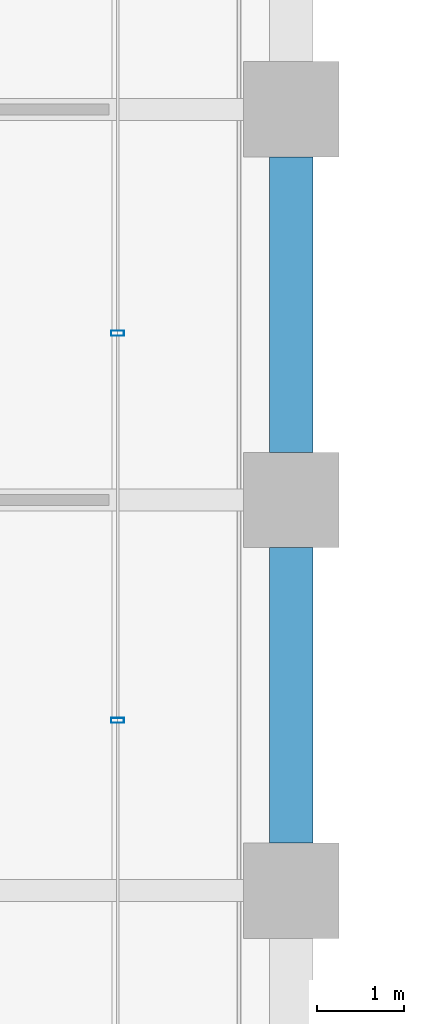
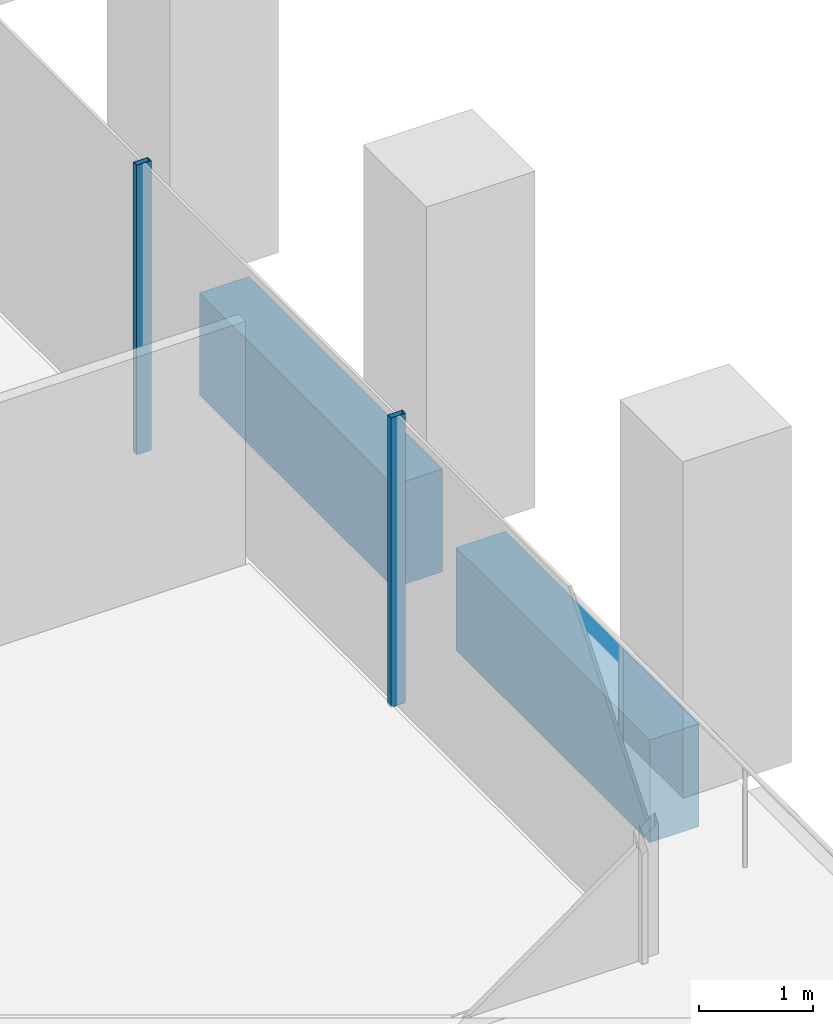
# One storey, part 18 of 56: 2 beams, 2 members, 1 element without a shape of its own.
"""IFC4 building model written with IfcOpenShell, lengths in metres."""

from ifc_helpers import new_model, si_unit, direction, frame, origin, origin_2d, place, context, subcontext, project, spatial, rectangle, hollow_rectangle, extrude, material, material_profile, profile_set, type_object, element, aggregate, save


model = new_model("IFC4")

# Units and contexts
model_context = context("Model", 3, precision=1e-05, world=origin(), true_north=direction((0.0, 1.0)))
body_context = subcontext(model_context, "Body", "Model", "MODEL_VIEW")
ifc_project = project(units=[si_unit("LENGTHUNIT", "METRE"), si_unit("AREAUNIT", "SQUARE_METRE"), si_unit("VOLUMEUNIT", "CUBIC_METRE"), si_unit("PLANEANGLEUNIT", "RADIAN"), si_unit("MASSUNIT", "GRAM", prefix="KILO")], contexts=[model_context])

# Site, building, storey
site_placement = place(None, origin())
site = spatial("IfcSite", under=ifc_project, at=site_placement, CompositionType="ELEMENT")
building_placement = place(site_placement, origin())
building = spatial("IfcBuilding", under=site, at=building_placement, Name="Altepetl Exchange Towers", CompositionType="ELEMENT")
storey_placement = place(building_placement, frame((0.0, 0.0, 83.39990234375)))
storey = spatial("IfcBuildingStorey", under=building, at=storey_placement, Name="L20", CompositionType="ELEMENT", Elevation=83.39990234375)

# Curtain wall, members
ifc_material_1 = material(Name="Aluminium 6063-T6 glazing", Category="aluminium")
curtain_wall_type = type_object("IfcCurtainWallType", Name="Loggia glazing system", PredefinedType="NOTDEFINED", material=ifc_material_1)
curtain_wall_placement = place(storey_placement, origin())
curtain_wall = element("IfcCurtainWall", 1, at=curtain_wall_placement, inside=storey, type_object=curtain_wall_type, Name="CW1 run", PredefinedType="NOTDEFINED")
ifc_material_2 = material(Name="Aluminium 6063-T6", Category="aluminium")
ifc_material_profile_1 = material_profile(ifc_material_2, hollow_rectangle(XDim=0.06005859375, YDim=0.14990234375, WallThickness=0.0029296875, at=origin_2d()), Name="Mullion 60x150 aluminium")
ifc_profile_set_1 = profile_set([ifc_material_profile_1], Name="Aluminium 6063-T6")
member_type = type_object("IfcMemberType", Name="Mullion 60x150 aluminium", PredefinedType="MULLION", material=ifc_profile_set_1)
member_1_placement = place(storey_placement, frame((70.0, 37.9609375, 0.0), z_axis=(0.0, 0.0, 1.0), x_axis=(0.0, 1.0, 0.0)))
member_1 = element("IfcMember", 2, at=member_1_placement, type_object=member_type, Name="MU1 mullion", PredefinedType="MULLION", context=body_context, shape_type="SweptSolid", body=[
    extrude(hollow_rectangle(XDim=0.06005859375, YDim=0.14990234375, WallThickness=0.0029296875, at=origin_2d()), origin(), (0.0, 0.0, 1.0), 3.10009765625),
])
member_2_placement = place(storey_placement, frame((70.0, 42.422119140625, 0.0), z_axis=(0.0, 0.0, 1.0), x_axis=(0.0, 1.0, 0.0)))
member_2 = element("IfcMember", 3, at=member_2_placement, type_object=member_type, Name="MU1 mullion", PredefinedType="MULLION", context=body_context, shape_type="SweptSolid", body=[
    extrude(hollow_rectangle(XDim=0.06005859375, YDim=0.14990234375, WallThickness=0.0029296875, at=origin_2d()), origin(), (0.0, 0.0, 1.0), 3.10009765625),
])
aggregate(curtain_wall, [member_1, member_2])

# Beams
ifc_material_3 = material(Name="Concrete C50/60 precast with cantera amarilla facing", Category="concrete")
ifc_material_profile_2 = material_profile(ifc_material_3, rectangle(XDim=0.5, YDim=1.10009765625, at=origin_2d()), Name="500 x 1100")
ifc_profile_set_2 = profile_set([ifc_material_profile_2], Name="Concrete C50/60 precast with cantera amarilla facing")
beam_type = type_object("IfcBeamType", Name="Spandrel beam 500x1100 cantera amarilla", PredefinedType="SPANDREL", material=ifc_profile_set_2)
for number, where, z_axis, x_axis, name in (
    (4, (72.0, 36.550048828125, -0.699951171875), (0.0, 1.0, 0.0), (-1.0, 0.0, 0.0), "sp:A:L20:013"),
    (5, (72.0, 41.050048828125, -0.699951171875), (0.0, 1.0, 0.0), (-1.0, 0.0, 0.0), "sp:A:L20:014"),
):
    element("IfcBeam", number, at=place(storey_placement, frame(where, z_axis=z_axis, x_axis=x_axis)), inside=storey, type_object=beam_type, Name=name, PredefinedType="SPANDREL", context=body_context, shape_type="SweptSolid", body=[
        extrude(rectangle(XDim=0.5, YDim=1.10009765625, at=origin_2d()), origin(), (0.0, 0.0, 1.0), 3.39990234375),
    ])

save(model, "model.ifc")
